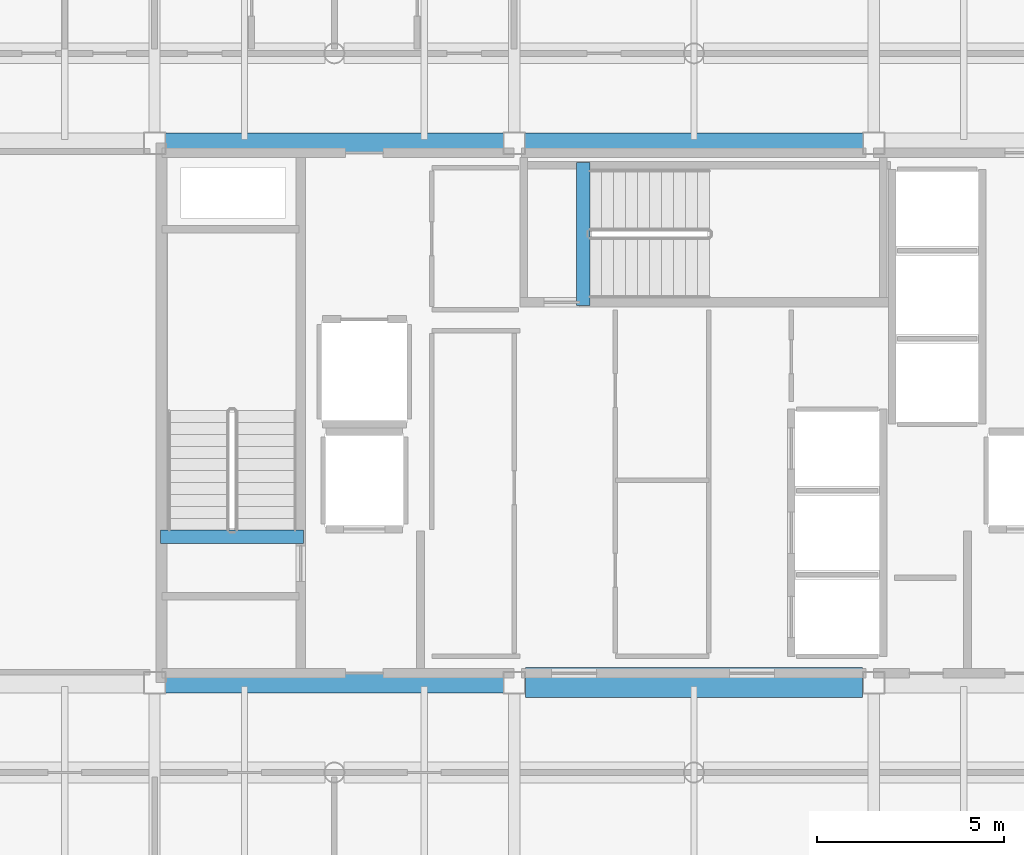
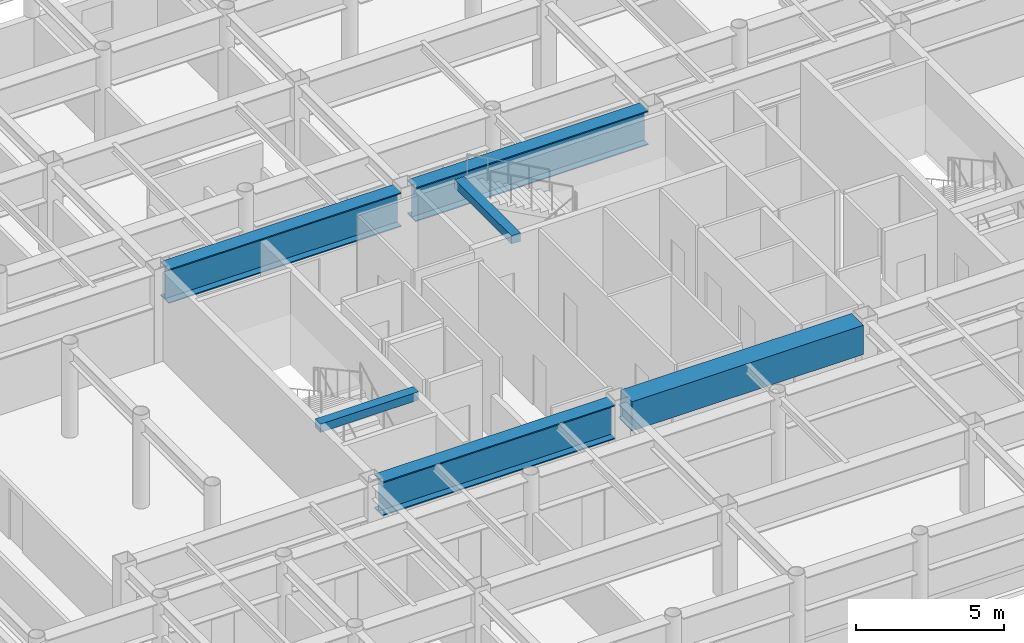
# One storey, part 7 of 26: 6 beams.
"""IFC4 building model written with IfcOpenShell, lengths in metres."""

import ifcopenshell
import ifcopenshell.guid

model = None  # the IFC model being written
_history = None  # IfcOwnerHistory: only IFC2X3 demands one
_inside = {}  # id of a spatial element -> (the spatial element, [elements in it])
_under = {}  # id of a project, library or spatial element -> (it, [spatial elements below it])
_declared = {}  # id of a project -> (the project, [libraries it declares])
_typed = {}  # id of a type object -> (the type object, [elements of that type])
_made_of = {}  # id of a material, layer set ... -> (it, [elements and type objects made of it])


def new_model(schema):
    """Start an empty IFC model of exactly this schema.

    Asked for "IFC4X3", IfcOpenShell would pick the latest addendum, in which some entities
    have other attributes; the version numbers below select the first issue.
    IFC2X3 requires an IfcOwnerHistory on every rooted entity: one is made here for all.
    """
    global model, _history
    if schema == "IFC4X3":
        model = ifcopenshell.file(schema_version=(4, 3, 0, 0))
    else:
        model = ifcopenshell.file(schema=schema)
    _inside.clear()
    _under.clear()
    _declared.clear()
    _typed.clear()
    _made_of.clear()
    _history = None
    if model.schema == "IFC2X3":
        org = make("IfcOrganization", Name="unknown")
        user = make(
            "IfcPersonAndOrganization",
            ThePerson=make("IfcPerson", FamilyName="unknown"),
            TheOrganization=org,
        )
        app = make(
            "IfcApplication",
            ApplicationDeveloper=org,
            Version="unknown",
            ApplicationFullName="unknown",
            ApplicationIdentifier="unknown",
        )
        _history = make(
            "IfcOwnerHistory",
            OwningUser=user,
            OwningApplication=app,
            ChangeAction="ADDED",
            CreationDate=0,
        )
    return model


def make(cls, **values):
    """One entity of the class cls with the attributes given. An attribute that is None is left unset."""
    return model.create_entity(
        cls, **{name: value for name, value in values.items() if value is not None}
    )


def rooted(cls, **values):
    """An entity with a GlobalId (a new one), such as an element, a storey or a relation."""
    return make(cls, GlobalId=ifcopenshell.guid.new(), OwnerHistory=_history, **values)


def si_unit(unit_type, name, prefix=None):
    """IfcSIUnit, for example si_unit("LENGTHUNIT", "METRE", prefix="MILLI")."""
    return make("IfcSIUnit", UnitType=unit_type, Prefix=prefix, Name=name)


def assignment(units):
    """IfcUnitAssignment: the units of a project."""
    return None if units is None else make("IfcUnitAssignment", Units=units)


def point(xyz):
    """IfcCartesianPoint."""
    return None if xyz is None else make("IfcCartesianPoint", Coordinates=xyz)


def direction(xyz):
    """IfcDirection."""
    return None if xyz is None else make("IfcDirection", DirectionRatios=xyz)


def frame(location, z_axis=None, x_axis=None):
    """IfcAxis2Placement3D, a coordinate frame: its origin and axes. An axis left out is left unset."""
    return make(
        "IfcAxis2Placement3D",
        Location=point(location),
        Axis=direction(z_axis),
        RefDirection=direction(x_axis),
    )


def frame_2d(location, x_axis=None):
    """IfcAxis2Placement2D, a coordinate frame in the plane: its origin and x axis."""
    return make(
        "IfcAxis2Placement2D", Location=point(location), RefDirection=direction(x_axis)
    )


def origin():
    """The frame at (0, 0, 0) with its axes left unset."""
    return frame((0.0, 0.0, 0.0))


def origin_2d():
    """The frame at (0, 0) in the plane with its x axis left unset."""
    return frame_2d((0.0, 0.0))


def place(relative_to, where):
    """IfcLocalPlacement: puts the frame where relative to a parent placement (None: the world)."""
    return make(
        "IfcLocalPlacement", PlacementRelTo=relative_to, RelativePlacement=where
    )


def context(
    kind, dimensions, precision=None, world=None, true_north=None, identifier=None
):
    """IfcGeometricRepresentationContext, for example the 3D "Model" context."""
    return make(
        "IfcGeometricRepresentationContext",
        ContextIdentifier=identifier,
        ContextType=kind,
        CoordinateSpaceDimension=dimensions,
        Precision=precision,
        WorldCoordinateSystem=world,
        TrueNorth=true_north,
    )


def subcontext(parent, identifier, kind, view, scale=None):
    """IfcGeometricRepresentationSubContext, for example "Body" below "Model"."""
    return make(
        "IfcGeometricRepresentationSubContext",
        ContextIdentifier=identifier,
        ContextType=kind,
        ParentContext=parent,
        TargetScale=scale,
        TargetView=view,
    )


def project(units=None, contexts=None):
    """IfcProject with its units and contexts."""
    return rooted(
        "IfcProject",
        Name="project",
        RepresentationContexts=contexts,
        UnitsInContext=assignment(units),
    )


def spatial(cls, under=None, at=None, **own):
    """A site, building, storey or space (cls), placed at a placement, below another one or the project."""
    s = rooted(cls, ObjectPlacement=at, **own)
    if under is not None:
        _under.setdefault(under.id(), (under, []))[1].append(s)
    return s


def profile(cls, at=None, kind="AREA", **sizes):
    """A parametric profile (cls). Its sizes go by their IFC names, for example OverallWidth=200.0."""
    return make(cls, ProfileType=kind, Position=at, **sizes)


def rectangle(**sizes):
    """IfcRectangleProfileDef."""
    return profile("IfcRectangleProfileDef", **sizes)


def i_section(**sizes):
    """IfcIShapeProfileDef."""
    return profile("IfcIShapeProfileDef", **sizes)


def extrude(swept, where, along, depth):
    """IfcExtrudedAreaSolid: the profile swept, set in the frame where, extruded along a direction by depth."""
    return make(
        "IfcExtrudedAreaSolid",
        SweptArea=swept,
        Position=where,
        ExtrudedDirection=direction(along),
        Depth=depth,
    )


def shape(context_of_items, identifier, shape_type, items):
    """IfcShapeRepresentation: the items that make up one representation, for example the "Body"."""
    return make(
        "IfcShapeRepresentation",
        ContextOfItems=context_of_items,
        RepresentationIdentifier=identifier,
        RepresentationType=shape_type,
        Items=items,
    )


def material(Name=None, Category=None):
    """IfcMaterial."""
    return make("IfcMaterial", Name=Name, Category=Category)


def material_profile(
    of_material, cross_section, Name=None, Category=None, Priority=None
):
    """IfcMaterialProfile: a cross section and its material."""
    return make(
        "IfcMaterialProfile",
        Name=Name,
        Material=of_material,
        Profile=cross_section,
        Priority=Priority,
        Category=Category,
    )


def profile_set(profiles, Name=None, composite=None):
    """IfcMaterialProfileSet."""
    return make(
        "IfcMaterialProfileSet",
        Name=Name,
        MaterialProfiles=profiles,
        CompositeProfile=composite,
    )


def made_of(thing, what):
    """Note that an element or type object is made of a material, layer set ...; save() writes the relation."""
    if what is not None:
        _made_of.setdefault(what.id(), (what, []))[1].append(thing)
    return thing


def type_object(cls, material=None, **own):
    """A type object (cls), such as IfcWallType, which elements share."""
    return made_of(rooted(cls, **own), material)


def element(
    cls,
    number,
    at=None,
    inside=None,
    cuts=None,
    type_object=None,
    material=None,
    context=None,
    identifier="Body",
    shape_type=None,
    held_by="IfcProductDefinitionShape",
    body=None,
    shapes=None,
    **own,
):
    """One element of the class cls, such as IfcWall. Its Tag is "e" and its number.

    at: its placement. inside: the storey or other place that contains it. cuts: it is an
    opening in that element (IfcRelVoidsElement). A single representation is given by context,
    identifier, shape_type and body (its items); several are given by shapes. held_by: the class
    of the entity that holds the representations. save() writes the other relations.
    """
    e = rooted(cls, Tag="e%d" % number, ObjectPlacement=at, **own)
    if body is not None:
        shapes = [shape(context, identifier, shape_type, body)]
    if shapes is not None:
        e.Representation = make(held_by, Representations=shapes)
    if inside is not None:
        _inside.setdefault(inside.id(), (inside, []))[1].append(e)
    if cuts is not None:
        rooted(
            "IfcRelVoidsElement", RelatingBuildingElement=cuts, RelatedOpeningElement=e
        )
    if type_object is not None:
        _typed.setdefault(type_object.id(), (type_object, []))[1].append(e)
    return made_of(e, material)


def aggregate(whole, parts):
    """IfcRelAggregates: a whole, such as a stair, and the parts it consists of."""
    return rooted("IfcRelAggregates", RelatingObject=whole, RelatedObjects=parts)


def save(model, path):
    """Write the relations noted so far, then the file.

    IfcRelAggregates (storeys below a building ...), IfcRelContainedInSpatialStructure (elements
    in a storey), IfcRelDefinesByType, IfcRelAssociatesMaterial and IfcRelDeclares: one each for
    every whole, place, type object, material and project.
    """
    for whole, parts in _under.values():
        aggregate(whole, parts)
    for where, things in _inside.values():
        rooted(
            "IfcRelContainedInSpatialStructure",
            RelatedElements=things,
            RelatingStructure=where,
        )
    for kind, things in _typed.values():
        rooted("IfcRelDefinesByType", RelatedObjects=things, RelatingType=kind)
    for what, things in _made_of.values():
        rooted("IfcRelAssociatesMaterial", RelatedObjects=things, RelatingMaterial=what)
    for by, libraries in _declared.values():
        rooted("IfcRelDeclares", RelatingContext=by, RelatedDefinitions=libraries)
    model.write(path)


model = new_model("IFC4")

# Units and contexts
model_context = context("Model", 3, precision=1e-05, world=origin(), true_north=direction((0.0, 1.0)))
body_context = subcontext(model_context, "Body", "Model", "MODEL_VIEW")
ifc_project = project(units=[si_unit("LENGTHUNIT", "METRE"), si_unit("AREAUNIT", "SQUARE_METRE"), si_unit("VOLUMEUNIT", "CUBIC_METRE"), si_unit("PLANEANGLEUNIT", "RADIAN"), si_unit("MASSUNIT", "GRAM", prefix="KILO")], contexts=[model_context])

# Site, building, storey
site_placement = place(None, origin())
site = spatial("IfcSite", under=ifc_project, at=site_placement, CompositionType="ELEMENT")
building_placement = place(site_placement, origin())
building = spatial("IfcBuilding", under=site, at=building_placement, Name="Kallvorn Hotel Tower", CompositionType="ELEMENT")
storey_placement = place(building_placement, frame((0.0, 0.0, 222.300048828125)))
storey = spatial("IfcBuildingStorey", under=building, at=storey_placement, Name="L55", CompositionType="ELEMENT", Elevation=222.300048828125)

# Beams
ifc_material_1 = material(Name="Structural steel S355JR", Category="steel")
ifc_material_profile_1 = material_profile(ifc_material_1, i_section(OverallWidth=0.550048828125, OverallDepth=1.39990234375, WebThickness=0.02490234375, FlangeThickness=0.044921875, at=origin_2d()), Name="PG 1400x550x25x45")
ifc_profile_set_1 = profile_set([ifc_material_profile_1], Name="Structural steel S355JR")
beam_type_1 = type_object("IfcBeamType", Name="BM_PG_1400", PredefinedType="BEAM", material=ifc_profile_set_1)
for number, where, z_axis, x_axis, name in (
    (1, (-14.125, -7.199951171875, 2.969970703125), (1.0, 0.0, 0.0), (0.0, 1.0, 0.0), "L56 Primary X-Girder 33"),
    (2, (-14.125, 7.199951171875, 2.969970703125), (1.0, 0.0, 0.0), (0.0, 1.0, 0.0), "L56 Primary X-Girder 37"),
):
    element("IfcBeam", number, at=place(storey_placement, frame(where, z_axis=z_axis, x_axis=x_axis)), inside=storey, type_object=beam_type_1, Name=name, PredefinedType="BEAM", context=body_context, shape_type="SweptSolid", body=[
        extrude(i_section(OverallWidth=0.550048828125, OverallDepth=1.39990234375, WebThickness=0.02490234375, FlangeThickness=0.044921875, at=origin_2d()), origin(), (0.0, 0.0, 1.0), 9.050048828125),
    ])
beam_1_placement = place(storey_placement, frame((-4.52490234375, 7.199951171875, 2.969970703125), z_axis=(1.0, 0.0, 0.0), x_axis=(0.0, 1.0, 0.0)))
element("IfcBeam", 3, at=beam_1_placement, inside=storey, type_object=beam_type_1, Name="L56 Primary X-Girder 38", PredefinedType="BEAM", context=body_context, shape_type="SweptSolid", body=[
    extrude(i_section(OverallWidth=0.550048828125, OverallDepth=1.39990234375, WebThickness=0.02490234375, FlangeThickness=0.044921875, at=origin_2d()), origin(), (0.0, 0.0, 1.0), 9.0498046875),
])
ifc_material_2 = material(Name="Concrete C50/60", Category="concrete")
ifc_material_profile_2 = material_profile(ifc_material_2, rectangle(XDim=0.360107421875, YDim=0.340087890625, at=origin_2d()), Name="RC 360x340")
ifc_profile_set_2 = profile_set([ifc_material_profile_2], Name="Concrete C50/60")
beam_type_2 = type_object("IfcBeamType", Name="BM_RC_400x360", PredefinedType="BEAM", material=ifc_profile_set_2)
beam_2_placement = place(storey_placement, frame((-10.419921875, -3.31005859375, 3.5), z_axis=(-1.0, 0.0, 0.0), x_axis=(0.0, -1.0, 0.0)))
element("IfcBeam", 4, at=beam_2_placement, inside=storey, type_object=beam_type_2, Name="L56 Stair ST1 Arrival Trimmer Beam", PredefinedType="BEAM", context=body_context, shape_type="SweptSolid", body=[
    extrude(rectangle(XDim=0.360107421875, YDim=0.340087890625, at=origin_2d()), origin(), (0.0, 0.0, 1.0), 3.820068359375),
])
beam_3_placement = place(storey_placement, frame((-2.9599609375, 2.8701171875, 3.5), z_axis=(0.0, 1.0, 0.0), x_axis=(-1.0, 0.0, 0.0)))
element("IfcBeam", 5, at=beam_3_placement, inside=storey, type_object=beam_type_2, Name="L56 Stair ST3 Arrival Trimmer Beam", PredefinedType="BEAM", context=body_context, shape_type="SweptSolid", body=[
    extrude(rectangle(XDim=0.360107421875, YDim=0.340087890625, at=origin_2d()), origin(), (0.0, 0.0, 1.0), 3.81982421875),
])
ifc_material_3 = material(Name="Concrete C50/60", Category="concrete")
ifc_material_profile_3 = material_profile(ifc_material_3, rectangle(XDim=0.800048828125, YDim=1.199951171875, at=origin_2d()), Name="RC 800x1200")
ifc_profile_set_3 = profile_set([ifc_material_profile_3], Name="Concrete C50/60")
beam_type_3 = type_object("IfcBeamType", Name="BM_RC_800x1200", PredefinedType="T_BEAM", material=ifc_profile_set_3)
beam_4_placement = place(storey_placement, frame((-4.5, -7.199951171875, 3.070068359375), z_axis=(1.0, 0.0, 0.0), x_axis=(0.0, 1.0, 0.0)))
element("IfcBeam", 6, at=beam_4_placement, inside=storey, type_object=beam_type_3, Name="L55 Core Coupling Beam South", PredefinedType="T_BEAM", context=body_context, shape_type="SweptSolid", body=[
    extrude(rectangle(XDim=0.800048828125, YDim=1.199951171875, at=origin_2d()), origin(), (0.0, 0.0, 1.0), 9.0),
])

save(model, "model.ifc")
